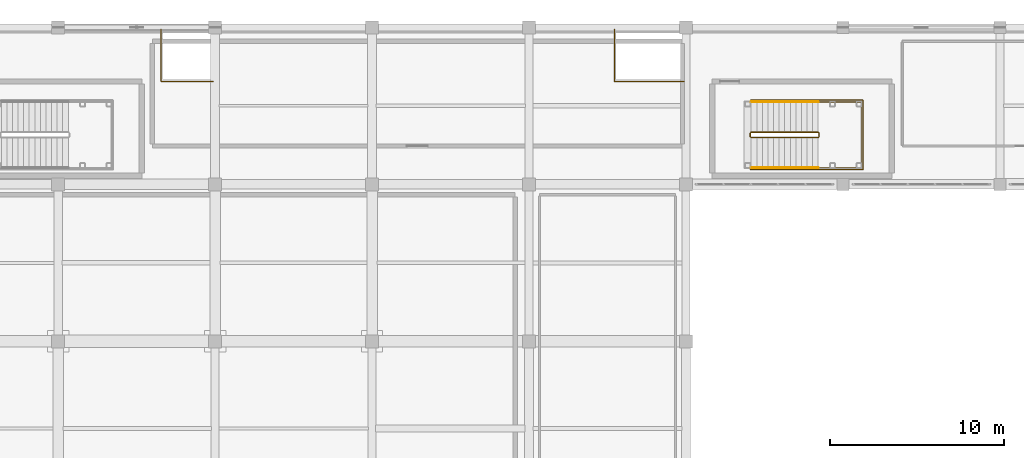
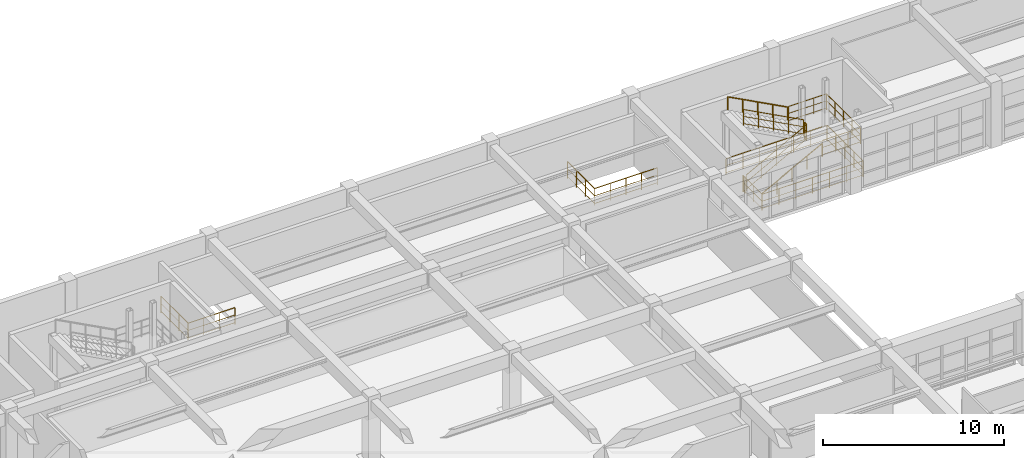
# One storey, part 132 of 133: 10 railings.
"""IFC4 building model written with IfcOpenShell, lengths in metres."""

from ifc_helpers import new_model, si_unit, direction, frame, origin, origin_2d, place, context, subcontext, project, spatial, circle, extrude, material, type_object, element, save


model = new_model("IFC4")

# Units and contexts
model_context = context("Model", 3, precision=1e-05, world=origin(), true_north=direction((0.0, 1.0)))
body_context = subcontext(model_context, "Body", "Model", "MODEL_VIEW")
ifc_project = project(units=[si_unit("LENGTHUNIT", "METRE"), si_unit("AREAUNIT", "SQUARE_METRE"), si_unit("VOLUMEUNIT", "CUBIC_METRE"), si_unit("PLANEANGLEUNIT", "RADIAN"), si_unit("MASSUNIT", "GRAM", prefix="KILO")], contexts=[model_context])

# Site, building, storey
site_placement = place(None, origin())
site = spatial("IfcSite", under=ifc_project, at=site_placement, CompositionType="ELEMENT")
building_placement = place(site_placement, origin())
building = spatial("IfcBuilding", under=site, at=building_placement, Name="Miravela Opera House", CompositionType="ELEMENT")
storey_placement = place(building_placement, frame((0.0, 0.0, 5.10009765625)))
storey = spatial("IfcBuildingStorey", under=building, at=storey_placement, Name="L01", CompositionType="ELEMENT", Elevation=5.10009765625)

# Railings
ifc_material_1 = material(Name="Brushed bronze continuous stair handrail")
railing_type_1 = type_object("IfcRailingType", Name="ARC-RAIL-HAND-900", PredefinedType="HANDRAIL", material=ifc_material_1)
railing_1_placement = place(storey_placement, frame((120.739990234375, 103.949951171875, 0.169921875)))
element("IfcRailing", 1, at=railing_1_placement, inside=storey, type_object=railing_type_1, Name="L01 ST-09 stair handrail 1", PredefinedType="HANDRAIL", context=body_context, shape_type="SweptSolid", body=[
    extrude(circle(Radius=0.02392578125, at=origin_2d()), frame((0.0, 0.0, 0.8759765625), z_axis=(0.883116446401, 0.0, 0.469153857596), x_axis=(0.0, 1.0, 0.0)), (0.0, 0.0, 1.0), 4.348388671875),
    extrude(circle(Radius=0.02099609375, at=origin_2d()), origin(), (0.0, 0.0, 1.0), 0.851806640625),
    extrude(circle(Radius=0.02099609375, at=origin_2d()), frame((0.9599609375, 0.0, 0.510009765625)), (0.0, 0.0, 1.0), 0.851806640625),
    extrude(circle(Radius=0.02099609375, at=origin_2d()), frame((1.919921875, 0.0, 1.02001953125)), (0.0, 0.0, 1.0), 0.851806640625),
    extrude(circle(Radius=0.02099609375, at=origin_2d()), frame((2.880126953125, 0.0, 1.530029296875)), (0.0, 0.0, 1.0), 0.851806640625),
    extrude(circle(Radius=0.02099609375, at=origin_2d()), frame((3.840087890625, 0.0, 2.0400390625)), (0.0, 0.0, 1.0), 0.851806640625),
])
railing_2_placement = place(storey_placement, frame((124.580078125, 107.72998046875, 2.3798828125)))
element("IfcRailing", 2, at=railing_2_placement, inside=storey, type_object=railing_type_1, Name="L01 ST-09 stair handrail 2", PredefinedType="HANDRAIL", context=body_context, shape_type="SweptSolid", body=[
    extrude(circle(Radius=0.02392578125, at=origin_2d()), frame((0.0, 0.0, 0.8759765625), z_axis=(-0.883116446401, 0.0, 0.469153857596), x_axis=(0.0, -1.0, 0.0)), (0.0, 0.0, 1.0), 4.348388671875),
    extrude(circle(Radius=0.02099609375, at=origin_2d()), origin(), (0.0, 0.0, 1.0), 0.851806640625),
    extrude(circle(Radius=0.02099609375, at=origin_2d()), frame((-0.9599609375, 0.0, 0.510009765625)), (0.0, 0.0, 1.0), 0.851806640625),
    extrude(circle(Radius=0.02099609375, at=origin_2d()), frame((-1.919921875, 0.0, 1.02001953125)), (0.0, 0.0, 1.0), 0.851806640625),
    extrude(circle(Radius=0.02099609375, at=origin_2d()), frame((-2.880126953125, 0.0, 1.530029296875)), (0.0, 0.0, 1.0), 0.851806640625),
    extrude(circle(Radius=0.02099609375, at=origin_2d()), frame((-3.840087890625, 0.0, 2.0400390625)), (0.0, 0.0, 1.0), 0.851806640625),
])
ifc_material_2 = material(Name="Painted wrought-iron stair guardrail")
railing_type_2 = type_object("IfcRailingType", Name="ARC-RAIL-STAIR-GUARD", PredefinedType="GUARDRAIL", material=ifc_material_2)
railing_3_placement = place(storey_placement, frame((120.739990234375, 105.68994140625, 0.169921875)))
element("IfcRailing", 3, at=railing_3_placement, inside=storey, type_object=railing_type_2, Name="L01 ST-09 stair guard 1", PredefinedType="GUARDRAIL", context=body_context, shape_type="SweptSolid", body=[
    extrude(circle(Radius=0.02392578125, at=origin_2d()), frame((0.0, 0.0, 1.076171875), z_axis=(0.883116446401, 0.0, 0.469153857596), x_axis=(0.0, 1.0, 0.0)), (0.0, 0.0, 1.0), 4.348388671875),
    extrude(circle(Radius=0.01611328125, at=origin_2d()), frame((0.0, 0.0, 0.60498046875), z_axis=(0.883116446401, 0.0, 0.469153857596), x_axis=(0.0, 1.0, 0.0)), (0.0, 0.0, 1.0), 4.348388671875),
    extrude(circle(Radius=0.01611328125, at=origin_2d()), frame((0.0, 0.0, 0.1201171875), z_axis=(0.883116446401, 0.0, 0.469153857596), x_axis=(0.0, 1.0, 0.0)), (0.0, 0.0, 1.0), 4.348388671875),
    extrude(circle(Radius=0.02099609375, at=origin_2d()), origin(), (0.0, 0.0, 1.0), 1.052001953125),
    extrude(circle(Radius=0.02099609375, at=origin_2d()), frame((0.9599609375, 0.0, 0.510009765625)), (0.0, 0.0, 1.0), 1.052001953125),
    extrude(circle(Radius=0.02099609375, at=origin_2d()), frame((1.919921875, 0.0, 1.02001953125)), (0.0, 0.0, 1.0), 1.052001953125),
    extrude(circle(Radius=0.02099609375, at=origin_2d()), frame((2.880126953125, 0.0, 1.530029296875)), (0.0, 0.0, 1.0), 1.052001953125),
    extrude(circle(Radius=0.02099609375, at=origin_2d()), frame((3.840087890625, 0.0, 2.0400390625)), (0.0, 0.0, 1.0), 1.052001953125),
])
railing_4_placement = place(storey_placement, frame((124.6298828125, 105.739990234375, 2.2099609375)))
element("IfcRailing", 4, at=railing_4_placement, inside=storey, type_object=railing_type_2, Name="L01 ST-09 stair guard 2", PredefinedType="GUARDRAIL", context=body_context, shape_type="SweptSolid", body=[
    extrude(circle(Radius=0.02392578125, at=origin_2d()), frame((0.0, 0.0, 1.076171875), z_axis=(0.0, 1.0, 0.0), x_axis=(-1.0, 0.0, 0.0)), (0.0, 0.0, 1.0), 0.199951171875),
    extrude(circle(Radius=0.01611328125, at=origin_2d()), frame((0.0, 0.0, 0.60498046875), z_axis=(0.0, 1.0, 0.0), x_axis=(-1.0, 0.0, 0.0)), (0.0, 0.0, 1.0), 0.199951171875),
    extrude(circle(Radius=0.01611328125, at=origin_2d()), frame((0.0, 0.0, 0.1201171875), z_axis=(0.0, 1.0, 0.0), x_axis=(-1.0, 0.0, 0.0)), (0.0, 0.0, 1.0), 0.199951171875),
    extrude(circle(Radius=0.02099609375, at=origin_2d()), origin(), (0.0, 0.0, 1.0), 1.052001953125),
    extrude(circle(Radius=0.02099609375, at=origin_2d()), frame((0.0, 0.199951171875, 0.0)), (0.0, 0.0, 1.0), 1.052001953125),
])
railing_5_placement = place(storey_placement, frame((124.580078125, 105.989990234375, 2.3798828125)))
element("IfcRailing", 5, at=railing_5_placement, inside=storey, type_object=railing_type_2, Name="L01 ST-09 stair guard 3", PredefinedType="GUARDRAIL", context=body_context, shape_type="SweptSolid", body=[
    extrude(circle(Radius=0.02392578125, at=origin_2d()), frame((0.0, 0.0, 1.076171875), z_axis=(-0.883116446401, 0.0, 0.469153857596), x_axis=(0.0, -1.0, 0.0)), (0.0, 0.0, 1.0), 4.348388671875),
    extrude(circle(Radius=0.01611328125, at=origin_2d()), frame((0.0, 0.0, 0.60498046875), z_axis=(-0.883116446401, 0.0, 0.469153857596), x_axis=(0.0, -1.0, 0.0)), (0.0, 0.0, 1.0), 4.348388671875),
    extrude(circle(Radius=0.01611328125, at=origin_2d()), frame((0.0, 0.0, 0.1201171875), z_axis=(-0.883116446401, 0.0, 0.469153857596), x_axis=(0.0, -1.0, 0.0)), (0.0, 0.0, 1.0), 4.348388671875),
    extrude(circle(Radius=0.02099609375, at=origin_2d()), origin(), (0.0, 0.0, 1.0), 1.052001953125),
    extrude(circle(Radius=0.02099609375, at=origin_2d()), frame((-0.9599609375, 0.0, 0.510009765625)), (0.0, 0.0, 1.0), 1.052001953125),
    extrude(circle(Radius=0.02099609375, at=origin_2d()), frame((-1.919921875, 0.0, 1.02001953125)), (0.0, 0.0, 1.0), 1.052001953125),
    extrude(circle(Radius=0.02099609375, at=origin_2d()), frame((-2.880126953125, 0.0, 1.530029296875)), (0.0, 0.0, 1.0), 1.052001953125),
    extrude(circle(Radius=0.02099609375, at=origin_2d()), frame((-3.840087890625, 0.0, 2.0400390625)), (0.0, 0.0, 1.0), 1.052001953125),
])
railing_6_placement = place(storey_placement, frame((120.68994140625, 105.739990234375, 0.0)))
element("IfcRailing", 6, at=railing_6_placement, inside=storey, type_object=railing_type_2, Name="L01 ST-09 stair guard 4", PredefinedType="GUARDRAIL", context=body_context, shape_type="SweptSolid", body=[
    extrude(circle(Radius=0.02392578125, at=origin_2d()), frame((0.0, 0.0, 1.076171875), z_axis=(0.0, 1.0, 0.0), x_axis=(-1.0, 0.0, 0.0)), (0.0, 0.0, 1.0), 0.199951171875),
    extrude(circle(Radius=0.01611328125, at=origin_2d()), frame((0.0, 0.0, 0.60498046875), z_axis=(0.0, 1.0, 0.0), x_axis=(-1.0, 0.0, 0.0)), (0.0, 0.0, 1.0), 0.199951171875),
    extrude(circle(Radius=0.01611328125, at=origin_2d()), frame((0.0, 0.0, 0.1201171875), z_axis=(0.0, 1.0, 0.0), x_axis=(-1.0, 0.0, 0.0)), (0.0, 0.0, 1.0), 0.199951171875),
    extrude(circle(Radius=0.02099609375, at=origin_2d()), origin(), (0.0, 0.0, 1.0), 1.052001953125),
    extrude(circle(Radius=0.02099609375, at=origin_2d()), frame((0.0, 0.199951171875, 0.0)), (0.0, 0.0, 1.0), 1.052001953125),
])
railing_7_placement = place(storey_placement, frame((124.6298828125, 103.949951171875, 2.2099609375)))
element("IfcRailing", 7, at=railing_7_placement, inside=storey, type_object=railing_type_2, Name="Stair ST-09 Half-Landing Perimeter Guard (L01) 0083", PredefinedType="GUARDRAIL", context=body_context, shape_type="SweptSolid", body=[
    extrude(circle(Radius=0.02392578125, at=origin_2d()), frame((0.0, 0.0, 1.076171875), z_axis=(1.0, 0.0, 0.0), x_axis=(0.0, 1.0, 0.0)), (0.0, 0.0, 1.0), 2.420166015625),
    extrude(circle(Radius=0.01611328125, at=origin_2d()), frame((0.0, 0.0, 0.60498046875), z_axis=(1.0, 0.0, 0.0), x_axis=(0.0, 1.0, 0.0)), (0.0, 0.0, 1.0), 2.420166015625),
    extrude(circle(Radius=0.01611328125, at=origin_2d()), frame((0.0, 0.0, 0.1201171875), z_axis=(1.0, 0.0, 0.0), x_axis=(0.0, 1.0, 0.0)), (0.0, 0.0, 1.0), 2.420166015625),
    extrude(circle(Radius=0.02392578125, at=origin_2d()), frame((2.420166015625, 0.0, 1.076171875), z_axis=(0.0, 1.0, 0.0), x_axis=(-1.0, 0.0, 0.0)), (0.0, 0.0, 1.0), 3.780029296875),
    extrude(circle(Radius=0.01611328125, at=origin_2d()), frame((2.420166015625, 0.0, 0.60498046875), z_axis=(0.0, 1.0, 0.0), x_axis=(-1.0, 0.0, 0.0)), (0.0, 0.0, 1.0), 3.780029296875),
    extrude(circle(Radius=0.01611328125, at=origin_2d()), frame((2.420166015625, 0.0, 0.1201171875), z_axis=(0.0, 1.0, 0.0), x_axis=(-1.0, 0.0, 0.0)), (0.0, 0.0, 1.0), 3.780029296875),
    extrude(circle(Radius=0.02392578125, at=origin_2d()), frame((2.420166015625, 3.780029296875, 1.076171875), z_axis=(-1.0, 0.0, 0.0), x_axis=(0.0, -1.0, 0.0)), (0.0, 0.0, 1.0), 2.420166015625),
    extrude(circle(Radius=0.01611328125, at=origin_2d()), frame((2.420166015625, 3.780029296875, 0.60498046875), z_axis=(-1.0, 0.0, 0.0), x_axis=(0.0, -1.0, 0.0)), (0.0, 0.0, 1.0), 2.420166015625),
    extrude(circle(Radius=0.01611328125, at=origin_2d()), frame((2.420166015625, 3.780029296875, 0.1201171875), z_axis=(-1.0, 0.0, 0.0), x_axis=(0.0, -1.0, 0.0)), (0.0, 0.0, 1.0), 2.420166015625),
    extrude(circle(Radius=0.02099609375, at=origin_2d()), origin(), (0.0, 0.0, 1.0), 1.052001953125),
    extrude(circle(Radius=0.02099609375, at=origin_2d()), frame((0.806640625, 0.0, 0.0)), (0.0, 0.0, 1.0), 1.052001953125),
    extrude(circle(Radius=0.02099609375, at=origin_2d()), frame((1.613525390625, 0.0, 0.0)), (0.0, 0.0, 1.0), 1.052001953125),
    extrude(circle(Radius=0.02099609375, at=origin_2d()), frame((2.420166015625, 0.0, 0.0)), (0.0, 0.0, 1.0), 1.052001953125),
    extrude(circle(Radius=0.02099609375, at=origin_2d()), frame((2.420166015625, 0.945068359375, 0.0)), (0.0, 0.0, 1.0), 1.052001953125),
    extrude(circle(Radius=0.02099609375, at=origin_2d()), frame((2.420166015625, 1.89013671875, 0.0)), (0.0, 0.0, 1.0), 1.052001953125),
    extrude(circle(Radius=0.02099609375, at=origin_2d()), frame((2.420166015625, 2.8349609375, 0.0)), (0.0, 0.0, 1.0), 1.052001953125),
    extrude(circle(Radius=0.02099609375, at=origin_2d()), frame((2.420166015625, 3.780029296875, 0.0)), (0.0, 0.0, 1.0), 1.052001953125),
    extrude(circle(Radius=0.02099609375, at=origin_2d()), frame((1.613525390625, 3.780029296875, 0.0)), (0.0, 0.0, 1.0), 1.052001953125),
    extrude(circle(Radius=0.02099609375, at=origin_2d()), frame((0.806640625, 3.780029296875, 0.0)), (0.0, 0.0, 1.0), 1.052001953125),
    extrude(circle(Radius=0.02099609375, at=origin_2d()), frame((0.0, 3.780029296875, 0.0)), (0.0, 0.0, 1.0), 1.052001953125),
])
railing_8_placement = place(storey_placement, frame((120.68994140625, 105.77001953125, 0.0)))
element("IfcRailing", 8, at=railing_8_placement, inside=storey, type_object=railing_type_2, Name="Stair ST-09 Well Slab Opening Guard (L01) 0085", PredefinedType="GUARDRAIL", context=body_context, shape_type="SweptSolid", body=[
    extrude(circle(Radius=0.02392578125, at=origin_2d()), frame((0.0, 0.0, 1.076171875), z_axis=(0.0, -1.0, 0.0), x_axis=(1.0, 0.0, 0.0)), (0.0, 0.0, 1.0), 1.919921875),
    extrude(circle(Radius=0.01611328125, at=origin_2d()), frame((0.0, 0.0, 0.60498046875), z_axis=(0.0, -1.0, 0.0), x_axis=(1.0, 0.0, 0.0)), (0.0, 0.0, 1.0), 1.919921875),
    extrude(circle(Radius=0.01611328125, at=origin_2d()), frame((0.0, 0.0, 0.1201171875), z_axis=(0.0, -1.0, 0.0), x_axis=(1.0, 0.0, 0.0)), (0.0, 0.0, 1.0), 1.919921875),
    extrude(circle(Radius=0.02392578125, at=origin_2d()), frame((0.0, -1.919921875, 1.076171875), z_axis=(1.0, 0.0, 0.0), x_axis=(0.0, 1.0, 0.0)), (0.0, 0.0, 1.0), 6.4599609375),
    extrude(circle(Radius=0.01611328125, at=origin_2d()), frame((0.0, -1.919921875, 0.60498046875), z_axis=(1.0, 0.0, 0.0), x_axis=(0.0, 1.0, 0.0)), (0.0, 0.0, 1.0), 6.4599609375),
    extrude(circle(Radius=0.01611328125, at=origin_2d()), frame((0.0, -1.919921875, 0.1201171875), z_axis=(1.0, 0.0, 0.0), x_axis=(0.0, 1.0, 0.0)), (0.0, 0.0, 1.0), 6.4599609375),
    extrude(circle(Radius=0.02392578125, at=origin_2d()), frame((6.4599609375, -1.919921875, 1.076171875), z_axis=(0.0, 1.0, 0.0), x_axis=(-1.0, 0.0, 0.0)), (0.0, 0.0, 1.0), 3.97998046875),
    extrude(circle(Radius=0.01611328125, at=origin_2d()), frame((6.4599609375, -1.919921875, 0.60498046875), z_axis=(0.0, 1.0, 0.0), x_axis=(-1.0, 0.0, 0.0)), (0.0, 0.0, 1.0), 3.97998046875),
    extrude(circle(Radius=0.01611328125, at=origin_2d()), frame((6.4599609375, -1.919921875, 0.1201171875), z_axis=(0.0, 1.0, 0.0), x_axis=(-1.0, 0.0, 0.0)), (0.0, 0.0, 1.0), 3.97998046875),
    extrude(circle(Radius=0.02392578125, at=origin_2d()), frame((6.4599609375, 2.06005859375, 1.076171875), z_axis=(-1.0, 0.0, 0.0), x_axis=(0.0, -1.0, 0.0)), (0.0, 0.0, 1.0), 6.4599609375),
    extrude(circle(Radius=0.01611328125, at=origin_2d()), frame((6.4599609375, 2.06005859375, 0.60498046875), z_axis=(-1.0, 0.0, 0.0), x_axis=(0.0, -1.0, 0.0)), (0.0, 0.0, 1.0), 6.4599609375),
    extrude(circle(Radius=0.01611328125, at=origin_2d()), frame((6.4599609375, 2.06005859375, 0.1201171875), z_axis=(-1.0, 0.0, 0.0), x_axis=(0.0, -1.0, 0.0)), (0.0, 0.0, 1.0), 6.4599609375),
    extrude(circle(Radius=0.02099609375, at=origin_2d()), origin(), (0.0, 0.0, 1.0), 1.052001953125),
    extrude(circle(Radius=0.02099609375, at=origin_2d()), frame((0.0, -0.9599609375, 0.0)), (0.0, 0.0, 1.0), 1.052001953125),
    extrude(circle(Radius=0.02099609375, at=origin_2d()), frame((0.0, -1.919921875, 0.0)), (0.0, 0.0, 1.0), 1.052001953125),
    extrude(circle(Radius=0.02099609375, at=origin_2d()), frame((1.07666015625, -1.919921875, 0.0)), (0.0, 0.0, 1.0), 1.052001953125),
    extrude(circle(Radius=0.02099609375, at=origin_2d()), frame((2.1533203125, -1.919921875, 0.0)), (0.0, 0.0, 1.0), 1.052001953125),
    extrude(circle(Radius=0.02099609375, at=origin_2d()), frame((3.22998046875, -1.919921875, 0.0)), (0.0, 0.0, 1.0), 1.052001953125),
    extrude(circle(Radius=0.02099609375, at=origin_2d()), frame((4.306640625, -1.919921875, 0.0)), (0.0, 0.0, 1.0), 1.052001953125),
    extrude(circle(Radius=0.02099609375, at=origin_2d()), frame((5.38330078125, -1.919921875, 0.0)), (0.0, 0.0, 1.0), 1.052001953125),
    extrude(circle(Radius=0.02099609375, at=origin_2d()), frame((6.4599609375, -1.919921875, 0.0)), (0.0, 0.0, 1.0), 1.052001953125),
    extrude(circle(Radius=0.02099609375, at=origin_2d()), frame((6.4599609375, -0.9248046875, 0.0)), (0.0, 0.0, 1.0), 1.052001953125),
    extrude(circle(Radius=0.02099609375, at=origin_2d()), frame((6.4599609375, 0.070068359375, 0.0)), (0.0, 0.0, 1.0), 1.052001953125),
    extrude(circle(Radius=0.02099609375, at=origin_2d()), frame((6.4599609375, 1.06494140625, 0.0)), (0.0, 0.0, 1.0), 1.052001953125),
    extrude(circle(Radius=0.02099609375, at=origin_2d()), frame((6.4599609375, 2.06005859375, 0.0)), (0.0, 0.0, 1.0), 1.052001953125),
    extrude(circle(Radius=0.02099609375, at=origin_2d()), frame((5.38330078125, 2.06005859375, 0.0)), (0.0, 0.0, 1.0), 1.052001953125),
    extrude(circle(Radius=0.02099609375, at=origin_2d()), frame((4.306640625, 2.06005859375, 0.0)), (0.0, 0.0, 1.0), 1.052001953125),
    extrude(circle(Radius=0.02099609375, at=origin_2d()), frame((3.22998046875, 2.06005859375, 0.0)), (0.0, 0.0, 1.0), 1.052001953125),
    extrude(circle(Radius=0.02099609375, at=origin_2d()), frame((2.1533203125, 2.06005859375, 0.0)), (0.0, 0.0, 1.0), 1.052001953125),
    extrude(circle(Radius=0.02099609375, at=origin_2d()), frame((1.07666015625, 2.06005859375, 0.0)), (0.0, 0.0, 1.0), 1.052001953125),
    extrude(circle(Radius=0.02099609375, at=origin_2d()), frame((0.0, 2.06005859375, 0.0)), (0.0, 0.0, 1.0), 1.052001953125),
])
ifc_material_3 = material(Name="Spanish Colonial wrought-iron terrace guard")
railing_type_3 = type_object("IfcRailingType", Name="ARC-RAIL-TERR-GUARD", PredefinedType="GUARDRAIL", material=ifc_material_3)
railing_9_placement = place(storey_placement, frame((89.89990234375, 108.89990234375, 0.0)))
element("IfcRailing", 9, at=railing_9_placement, inside=storey, type_object=railing_type_3, Name="SLAB-L01-V3M1 Stepped Corner Guardrail 0179", PredefinedType="GUARDRAIL", context=body_context, shape_type="SweptSolid", body=[
    extrude(circle(Radius=0.02685546875, at=origin_2d()), frame((0.0, 0.0, 1.1328125), z_axis=(-1.0, 0.0, 0.0), x_axis=(0.0, -1.0, 0.0)), (0.0, 0.0, 1.0), 3.0),
    extrude(circle(Radius=0.01611328125, at=origin_2d()), frame((0.0, 0.0, 0.637939453125), z_axis=(-1.0, 0.0, 0.0), x_axis=(0.0, -1.0, 0.0)), (0.0, 0.0, 1.0), 3.0),
    extrude(circle(Radius=0.01611328125, at=origin_2d()), frame((0.0, 0.0, 0.1201171875), z_axis=(-1.0, 0.0, 0.0), x_axis=(0.0, -1.0, 0.0)), (0.0, 0.0, 1.0), 3.0),
    extrude(circle(Radius=0.02685546875, at=origin_2d()), frame((-3.0, 0.0, 1.1328125), z_axis=(0.0, 1.0, 0.0), x_axis=(-1.0, 0.0, 0.0)), (0.0, 0.0, 1.0), 3.0),
    extrude(circle(Radius=0.01611328125, at=origin_2d()), frame((-3.0, 0.0, 0.637939453125), z_axis=(0.0, 1.0, 0.0), x_axis=(-1.0, 0.0, 0.0)), (0.0, 0.0, 1.0), 3.0),
    extrude(circle(Radius=0.01611328125, at=origin_2d()), frame((-3.0, 0.0, 0.1201171875), z_axis=(0.0, 1.0, 0.0), x_axis=(-1.0, 0.0, 0.0)), (0.0, 0.0, 1.0), 3.0),
    extrude(circle(Radius=0.02099609375, at=origin_2d()), origin(), (0.0, 0.0, 1.0), 1.10595703125),
    extrude(circle(Radius=0.02099609375, at=origin_2d()), frame((-1.0, 0.0, 0.0)), (0.0, 0.0, 1.0), 1.10595703125),
    extrude(circle(Radius=0.02099609375, at=origin_2d()), frame((-2.0, 0.0, 0.0)), (0.0, 0.0, 1.0), 1.10595703125),
    extrude(circle(Radius=0.02099609375, at=origin_2d()), frame((-3.0, 0.0, 0.0)), (0.0, 0.0, 1.0), 1.10595703125),
    extrude(circle(Radius=0.02099609375, at=origin_2d()), frame((-3.0, 1.0, 0.0)), (0.0, 0.0, 1.0), 1.10595703125),
    extrude(circle(Radius=0.02099609375, at=origin_2d()), frame((-3.0, 2.0, 0.0)), (0.0, 0.0, 1.0), 1.10595703125),
    extrude(circle(Radius=0.02099609375, at=origin_2d()), frame((-3.0, 3.0, 0.0)), (0.0, 0.0, 1.0), 1.10595703125),
])
railing_10_placement = place(storey_placement, frame((116.89990234375, 108.89990234375, 0.0)))
element("IfcRailing", 10, at=railing_10_placement, inside=storey, type_object=railing_type_3, Name="SLAB-L01-V3M2 Stepped Corner Guardrail 0180", PredefinedType="GUARDRAIL", context=body_context, shape_type="SweptSolid", body=[
    extrude(circle(Radius=0.02685546875, at=origin_2d()), frame((0.0, 0.0, 1.1328125), z_axis=(-1.0, 0.0, 0.0), x_axis=(0.0, -1.0, 0.0)), (0.0, 0.0, 1.0), 4.0),
    extrude(circle(Radius=0.01611328125, at=origin_2d()), frame((0.0, 0.0, 0.637939453125), z_axis=(-1.0, 0.0, 0.0), x_axis=(0.0, -1.0, 0.0)), (0.0, 0.0, 1.0), 4.0),
    extrude(circle(Radius=0.01611328125, at=origin_2d()), frame((0.0, 0.0, 0.1201171875), z_axis=(-1.0, 0.0, 0.0), x_axis=(0.0, -1.0, 0.0)), (0.0, 0.0, 1.0), 4.0),
    extrude(circle(Radius=0.02685546875, at=origin_2d()), frame((-4.0, 0.0, 1.1328125), z_axis=(0.0, 1.0, 0.0), x_axis=(-1.0, 0.0, 0.0)), (0.0, 0.0, 1.0), 3.0),
    extrude(circle(Radius=0.01611328125, at=origin_2d()), frame((-4.0, 0.0, 0.637939453125), z_axis=(0.0, 1.0, 0.0), x_axis=(-1.0, 0.0, 0.0)), (0.0, 0.0, 1.0), 3.0),
    extrude(circle(Radius=0.01611328125, at=origin_2d()), frame((-4.0, 0.0, 0.1201171875), z_axis=(0.0, 1.0, 0.0), x_axis=(-1.0, 0.0, 0.0)), (0.0, 0.0, 1.0), 3.0),
    extrude(circle(Radius=0.02099609375, at=origin_2d()), origin(), (0.0, 0.0, 1.0), 1.10595703125),
    extrude(circle(Radius=0.02099609375, at=origin_2d()), frame((-1.0, 0.0, 0.0)), (0.0, 0.0, 1.0), 1.10595703125),
    extrude(circle(Radius=0.02099609375, at=origin_2d()), frame((-2.0, 0.0, 0.0)), (0.0, 0.0, 1.0), 1.10595703125),
    extrude(circle(Radius=0.02099609375, at=origin_2d()), frame((-3.0, 0.0, 0.0)), (0.0, 0.0, 1.0), 1.10595703125),
    extrude(circle(Radius=0.02099609375, at=origin_2d()), frame((-4.0, 0.0, 0.0)), (0.0, 0.0, 1.0), 1.10595703125),
    extrude(circle(Radius=0.02099609375, at=origin_2d()), frame((-4.0, 1.0, 0.0)), (0.0, 0.0, 1.0), 1.10595703125),
    extrude(circle(Radius=0.02099609375, at=origin_2d()), frame((-4.0, 2.0, 0.0)), (0.0, 0.0, 1.0), 1.10595703125),
    extrude(circle(Radius=0.02099609375, at=origin_2d()), frame((-4.0, 3.0, 0.0)), (0.0, 0.0, 1.0), 1.10595703125),
])

save(model, "model.ifc")
